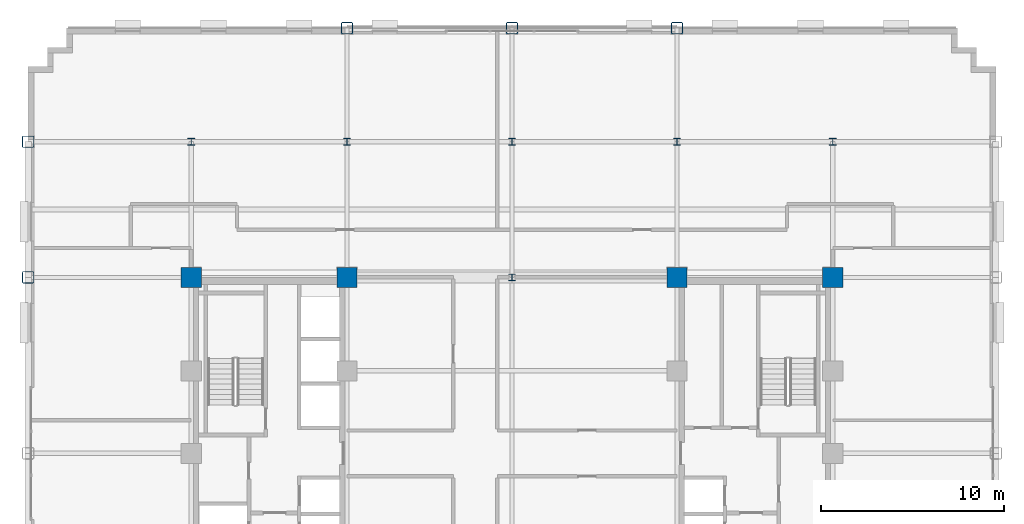
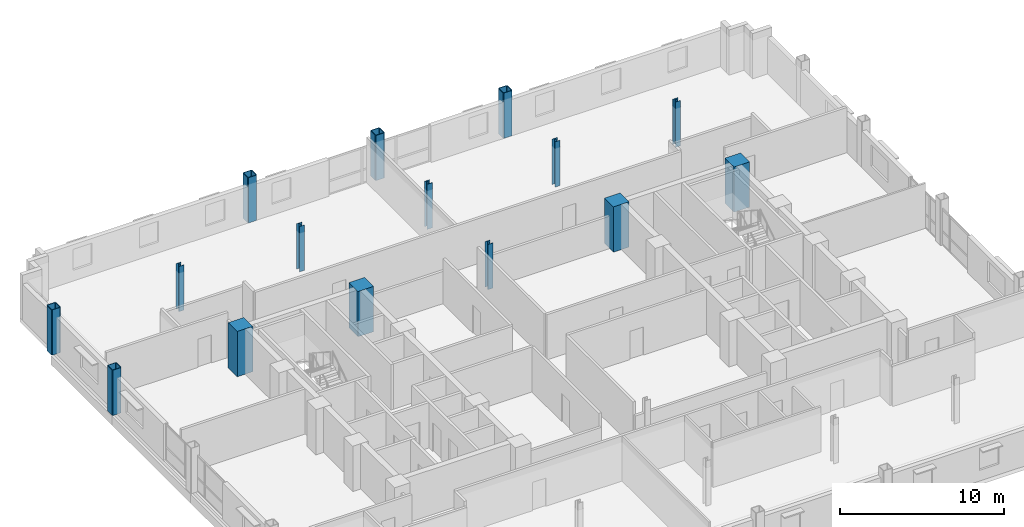
# One storey, part 3 of 17: 15 columns.
"""IFC4 building model written with IfcOpenShell, lengths in metres."""

from ifc_helpers import new_model, si_unit, direction, frame, origin, origin_2d, place, context, subcontext, project, spatial, rectangle, hollow_rectangle, i_section, extrude, material, material_profile, profile_set, type_object, element, save


model = new_model("IFC4")

# Units and contexts
model_context = context("Model", 3, precision=1e-05, world=origin(), true_north=direction((0.0, 1.0)))
body_context = subcontext(model_context, "Body", "Model", "MODEL_VIEW")
ifc_project = project(units=[si_unit("LENGTHUNIT", "METRE"), si_unit("AREAUNIT", "SQUARE_METRE"), si_unit("VOLUMEUNIT", "CUBIC_METRE"), si_unit("PLANEANGLEUNIT", "RADIAN"), si_unit("MASSUNIT", "GRAM", prefix="KILO")], contexts=[model_context])

# Site, building, storey
site_placement = place(None, origin())
site = spatial("IfcSite", under=ifc_project, at=site_placement, CompositionType="ELEMENT")
building_placement = place(site_placement, origin())
building = spatial("IfcBuilding", under=site, at=building_placement, Name="Nuvemarco Arch Tower", CompositionType="ELEMENT")
storey_placement = place(building_placement, frame((0.0, 0.0, 120.199951171875)))
storey = spatial("IfcBuildingStorey", under=building, at=storey_placement, Name="L31", CompositionType="ELEMENT", Elevation=120.199951171875)

# Columns
ifc_material_1 = material(Name="Concrete C60/75", Category="concrete")
ifc_material_profile_1 = material_profile(ifc_material_1, rectangle(XDim=1.10009765625, YDim=1.10009765625, at=origin_2d()), Name="RC-COL-1100x1100")
ifc_profile_set_1 = profile_set([ifc_material_profile_1], Name="Concrete C60/75")
column_type_1 = type_object("IfcColumnType", Name="COL-CORE-1100", PredefinedType="COLUMN", material=ifc_profile_set_1)
for number, where, z_axis, x_axis, name in (
    (1, (-17.5, 9.60009765625, 0.0), (0.0, 0.0, 1.0), (1.0, 0.0, 0.0), "L31 column CC_-17.5_+9.6"),
    (2, (-9.0, 9.60009765625, 0.0), (0.0, 0.0, 1.0), (1.0, 0.0, 0.0), "L31 column CC_-9.0_+9.6"),
    (3, (9.0, 9.60009765625, 0.0), (0.0, 0.0, 1.0), (1.0, 0.0, 0.0), "L31 column CC_+9.0_+9.6"),
    (4, (17.5, 9.60009765625, 0.0), (0.0, 0.0, 1.0), (1.0, 0.0, 0.0), "L31 column CC_+17.5_+9.6"),
):
    element("IfcColumn", number, at=place(storey_placement, frame(where, z_axis=z_axis, x_axis=x_axis)), inside=storey, type_object=column_type_1, Name=name, PredefinedType="COLUMN", context=body_context, shape_type="SweptSolid", body=[
        extrude(rectangle(XDim=1.10009765625, YDim=1.10009765625, at=origin_2d()), origin(), (0.0, 0.0, 1.0), 3.3701171875),
    ])
ifc_material_2 = material(Name="Steel S355", Category="steel")
ifc_material_profile_2 = material_profile(ifc_material_2, hollow_rectangle(XDim=0.64990234375, YDim=0.64990234375, WallThickness=0.0400390625, InnerFilletRadius=0.0400390625, OuterFilletRadius=0.080078125, at=origin_2d()), Name="SHS650x650x40")
ifc_profile_set_2 = profile_set([ifc_material_profile_2], Name="Steel S355")
column_type_2 = type_object("IfcColumnType", Name="COL-EXO-650", PredefinedType="COLUMN", material=ifc_profile_set_2)
for number, where, z_axis, x_axis, name in (
    (5, (-26.39990234375, 9.60009765625, 0.0), (0.0, 0.0, 1.0), (1.0, 0.0, 0.0), "L31 column CX_-26.4_+9.6"),
    (6, (-26.39990234375, 17.0, 0.0), (0.0, 0.0, 1.0), (1.0, 0.0, 0.0), "L31 column CX_-26.4_+17.0"),
    (7, (-9.0, 23.199951171875, 0.0), (0.0, 0.0, 1.0), (1.0, 0.0, 0.0), "L31 column CY_-9.0_+23.2"),
    (8, (0.0, 23.199951171875, 0.0), (0.0, 0.0, 1.0), (1.0, 0.0, 0.0), "L31 column CY_+0.0_+23.2"),
    (9, (9.0, 23.199951171875, 0.0), (0.0, 0.0, 1.0), (1.0, 0.0, 0.0), "L31 column CY_+9.0_+23.2"),
):
    element("IfcColumn", number, at=place(storey_placement, frame(where, z_axis=z_axis, x_axis=x_axis)), inside=storey, type_object=column_type_2, Name=name, PredefinedType="COLUMN", context=body_context, shape_type="SweptSolid", body=[
        extrude(hollow_rectangle(XDim=0.64990234375, YDim=0.64990234375, WallThickness=0.0400390625, InnerFilletRadius=0.0400390625, OuterFilletRadius=0.080078125, at=origin_2d()), origin(), (0.0, 0.0, 1.0), 3.3701171875),
    ])
ifc_material_profile_3 = material_profile(ifc_material_2, i_section(OverallWidth=0.360107421875, OverallDepth=0.360107421875, WebThickness=0.0205078125, FlangeThickness=0.0205078125, FilletRadius=0.01806640625, at=origin_2d()), Name="HP360x174")
ifc_profile_set_3 = profile_set([ifc_material_profile_3], Name="Steel S355")
column_type_3 = type_object("IfcColumnType", Name="COL-STL-HP360", PredefinedType="COLUMN", material=ifc_profile_set_3)
for number, where, z_axis, x_axis, name in (
    (10, (0.0, 9.60009765625, 0.0), (0.0, 0.0, 1.0), (1.0, 0.0, 0.0), "L31 column CI_+0.0_+9.6"),
    (11, (0.0, 17.0, 0.0), (0.0, 0.0, 1.0), (1.0, 0.0, 0.0), "L31 column CI_+0.0_+17.0"),
    (12, (-17.5, 17.0, 0.0), (0.0, 0.0, 1.0), (1.0, 0.0, 0.0), "L31 column CI_-17.5_+17.0"),
    (13, (-9.0, 17.0, 0.0), (0.0, 0.0, 1.0), (1.0, 0.0, 0.0), "L31 column CI_-9.0_+17.0"),
    (14, (9.0, 17.0, 0.0), (0.0, 0.0, 1.0), (1.0, 0.0, 0.0), "L31 column CI_+9.0_+17.0"),
    (15, (17.5, 17.0, 0.0), (0.0, 0.0, 1.0), (1.0, 0.0, 0.0), "L31 column CI_+17.5_+17.0"),
):
    element("IfcColumn", number, at=place(storey_placement, frame(where, z_axis=z_axis, x_axis=x_axis)), inside=storey, type_object=column_type_3, Name=name, PredefinedType="COLUMN", context=body_context, shape_type="SweptSolid", body=[
        extrude(i_section(OverallWidth=0.360107421875, OverallDepth=0.360107421875, WebThickness=0.0205078125, FlangeThickness=0.0205078125, FilletRadius=0.01806640625, at=origin_2d()), origin(), (0.0, 0.0, 1.0), 3.3701171875),
    ])

save(model, "model.ifc")
